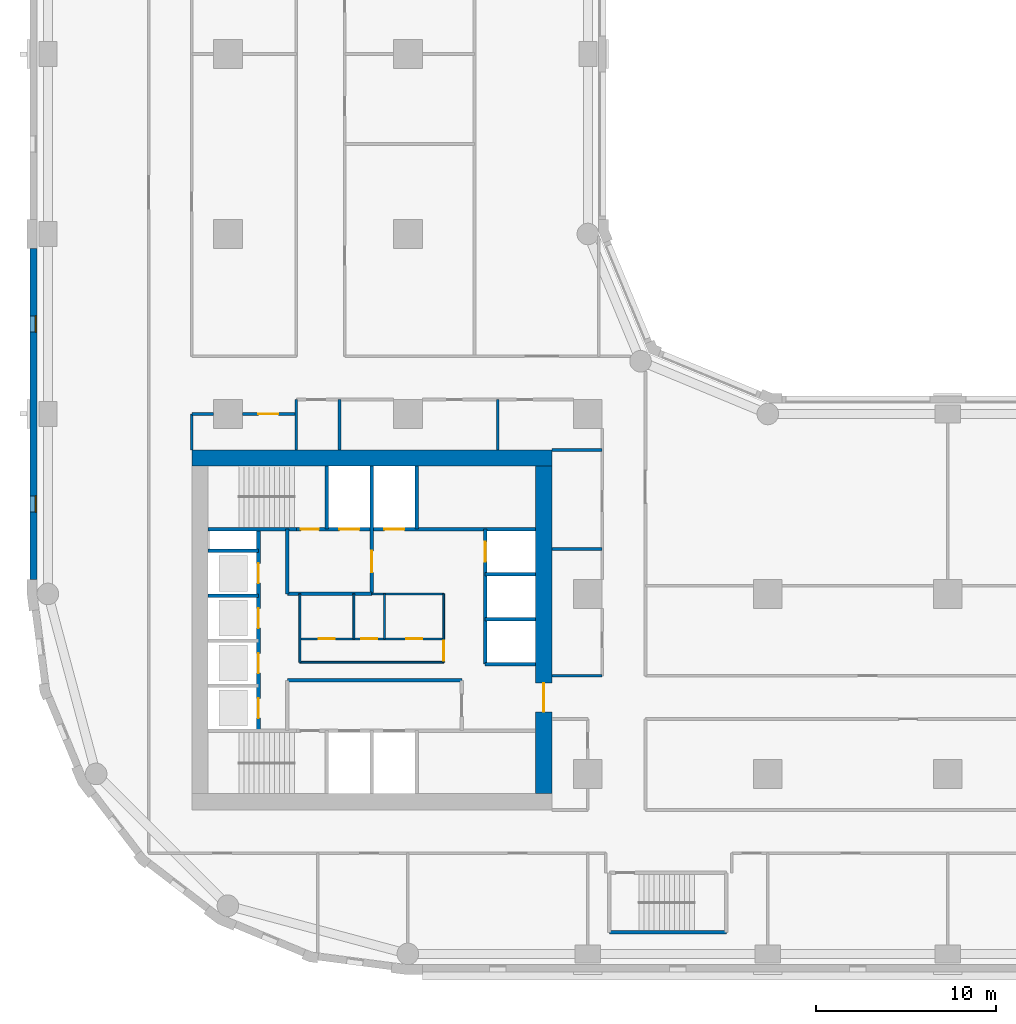
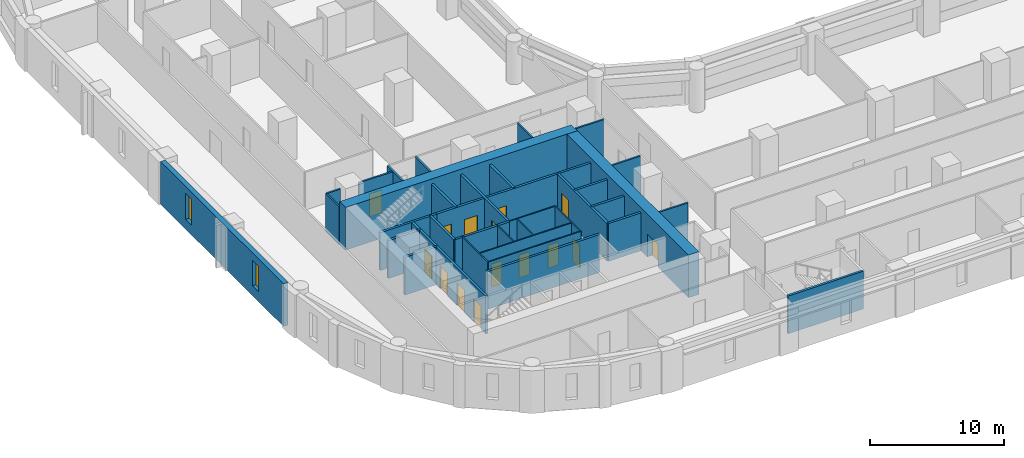
# One storey, part 3 of 10: 35 walls, 15 doors, 2 windows, 17 openings.
"""IFC4 building model written with IfcOpenShell, lengths in metres."""

import ifcopenshell
import ifcopenshell.guid

model = None  # the IFC model being written
_history = None  # IfcOwnerHistory: only IFC2X3 demands one
_inside = {}  # id of a spatial element -> (the spatial element, [elements in it])
_under = {}  # id of a project, library or spatial element -> (it, [spatial elements below it])
_declared = {}  # id of a project -> (the project, [libraries it declares])
_typed = {}  # id of a type object -> (the type object, [elements of that type])
_made_of = {}  # id of a material, layer set ... -> (it, [elements and type objects made of it])


def new_model(schema):
    """Start an empty IFC model of exactly this schema.

    Asked for "IFC4X3", IfcOpenShell would pick the latest addendum, in which some entities
    have other attributes; the version numbers below select the first issue.
    IFC2X3 requires an IfcOwnerHistory on every rooted entity: one is made here for all.
    """
    global model, _history
    if schema == "IFC4X3":
        model = ifcopenshell.file(schema_version=(4, 3, 0, 0))
    else:
        model = ifcopenshell.file(schema=schema)
    _inside.clear()
    _under.clear()
    _declared.clear()
    _typed.clear()
    _made_of.clear()
    _history = None
    if model.schema == "IFC2X3":
        org = make("IfcOrganization", Name="unknown")
        user = make(
            "IfcPersonAndOrganization",
            ThePerson=make("IfcPerson", FamilyName="unknown"),
            TheOrganization=org,
        )
        app = make(
            "IfcApplication",
            ApplicationDeveloper=org,
            Version="unknown",
            ApplicationFullName="unknown",
            ApplicationIdentifier="unknown",
        )
        _history = make(
            "IfcOwnerHistory",
            OwningUser=user,
            OwningApplication=app,
            ChangeAction="ADDED",
            CreationDate=0,
        )
    return model


def make(cls, **values):
    """One entity of the class cls with the attributes given. An attribute that is None is left unset."""
    return model.create_entity(
        cls, **{name: value for name, value in values.items() if value is not None}
    )


def rooted(cls, **values):
    """An entity with a GlobalId (a new one), such as an element, a storey or a relation."""
    return make(cls, GlobalId=ifcopenshell.guid.new(), OwnerHistory=_history, **values)


def si_unit(unit_type, name, prefix=None):
    """IfcSIUnit, for example si_unit("LENGTHUNIT", "METRE", prefix="MILLI")."""
    return make("IfcSIUnit", UnitType=unit_type, Prefix=prefix, Name=name)


def assignment(units):
    """IfcUnitAssignment: the units of a project."""
    return None if units is None else make("IfcUnitAssignment", Units=units)


def point(xyz):
    """IfcCartesianPoint."""
    return None if xyz is None else make("IfcCartesianPoint", Coordinates=xyz)


def direction(xyz):
    """IfcDirection."""
    return None if xyz is None else make("IfcDirection", DirectionRatios=xyz)


def frame(location, z_axis=None, x_axis=None):
    """IfcAxis2Placement3D, a coordinate frame: its origin and axes. An axis left out is left unset."""
    return make(
        "IfcAxis2Placement3D",
        Location=point(location),
        Axis=direction(z_axis),
        RefDirection=direction(x_axis),
    )


def frame_2d(location, x_axis=None):
    """IfcAxis2Placement2D, a coordinate frame in the plane: its origin and x axis."""
    return make(
        "IfcAxis2Placement2D", Location=point(location), RefDirection=direction(x_axis)
    )


def origin():
    """The frame at (0, 0, 0) with its axes left unset."""
    return frame((0.0, 0.0, 0.0))


def place(relative_to, where):
    """IfcLocalPlacement: puts the frame where relative to a parent placement (None: the world)."""
    return make(
        "IfcLocalPlacement", PlacementRelTo=relative_to, RelativePlacement=where
    )


def context(
    kind, dimensions, precision=None, world=None, true_north=None, identifier=None
):
    """IfcGeometricRepresentationContext, for example the 3D "Model" context."""
    return make(
        "IfcGeometricRepresentationContext",
        ContextIdentifier=identifier,
        ContextType=kind,
        CoordinateSpaceDimension=dimensions,
        Precision=precision,
        WorldCoordinateSystem=world,
        TrueNorth=true_north,
    )


def subcontext(parent, identifier, kind, view, scale=None):
    """IfcGeometricRepresentationSubContext, for example "Body" below "Model"."""
    return make(
        "IfcGeometricRepresentationSubContext",
        ContextIdentifier=identifier,
        ContextType=kind,
        ParentContext=parent,
        TargetScale=scale,
        TargetView=view,
    )


def project(units=None, contexts=None):
    """IfcProject with its units and contexts."""
    return rooted(
        "IfcProject",
        Name="project",
        RepresentationContexts=contexts,
        UnitsInContext=assignment(units),
    )


def spatial(cls, under=None, at=None, **own):
    """A site, building, storey or space (cls), placed at a placement, below another one or the project."""
    s = rooted(cls, ObjectPlacement=at, **own)
    if under is not None:
        _under.setdefault(under.id(), (under, []))[1].append(s)
    return s


def profile(cls, at=None, kind="AREA", **sizes):
    """A parametric profile (cls). Its sizes go by their IFC names, for example OverallWidth=200.0."""
    return make(cls, ProfileType=kind, Position=at, **sizes)


def rectangle(**sizes):
    """IfcRectangleProfileDef."""
    return profile("IfcRectangleProfileDef", **sizes)


def extrude(swept, where, along, depth):
    """IfcExtrudedAreaSolid: the profile swept, set in the frame where, extruded along a direction by depth."""
    return make(
        "IfcExtrudedAreaSolid",
        SweptArea=swept,
        Position=where,
        ExtrudedDirection=direction(along),
        Depth=depth,
    )


def shape(context_of_items, identifier, shape_type, items):
    """IfcShapeRepresentation: the items that make up one representation, for example the "Body"."""
    return make(
        "IfcShapeRepresentation",
        ContextOfItems=context_of_items,
        RepresentationIdentifier=identifier,
        RepresentationType=shape_type,
        Items=items,
    )


def material(Name=None, Category=None):
    """IfcMaterial."""
    return make("IfcMaterial", Name=Name, Category=Category)


def layer(
    of_material, thickness, ventilated=None, Name=None, Category=None, Priority=None
):
    """IfcMaterialLayer: one layer of a wall or slab, of a material (None: an air gap)."""
    return make(
        "IfcMaterialLayer",
        Material=of_material,
        LayerThickness=thickness,
        IsVentilated=ventilated,
        Name=Name,
        Category=Category,
        Priority=Priority,
    )


def layer_set(layers, Name=None):
    """IfcMaterialLayerSet."""
    return make("IfcMaterialLayerSet", MaterialLayers=layers, LayerSetName=Name)


def made_of(thing, what):
    """Note that an element or type object is made of a material, layer set ...; save() writes the relation."""
    if what is not None:
        _made_of.setdefault(what.id(), (what, []))[1].append(thing)
    return thing


def type_object(cls, material=None, **own):
    """A type object (cls), such as IfcWallType, which elements share."""
    return made_of(rooted(cls, **own), material)


def element(
    cls,
    number,
    at=None,
    inside=None,
    cuts=None,
    type_object=None,
    material=None,
    context=None,
    identifier="Body",
    shape_type=None,
    held_by="IfcProductDefinitionShape",
    body=None,
    shapes=None,
    **own,
):
    """One element of the class cls, such as IfcWall. Its Tag is "e" and its number.

    at: its placement. inside: the storey or other place that contains it. cuts: it is an
    opening in that element (IfcRelVoidsElement). A single representation is given by context,
    identifier, shape_type and body (its items); several are given by shapes. held_by: the class
    of the entity that holds the representations. save() writes the other relations.
    """
    e = rooted(cls, Tag="e%d" % number, ObjectPlacement=at, **own)
    if body is not None:
        shapes = [shape(context, identifier, shape_type, body)]
    if shapes is not None:
        e.Representation = make(held_by, Representations=shapes)
    if inside is not None:
        _inside.setdefault(inside.id(), (inside, []))[1].append(e)
    if cuts is not None:
        rooted(
            "IfcRelVoidsElement", RelatingBuildingElement=cuts, RelatedOpeningElement=e
        )
    if type_object is not None:
        _typed.setdefault(type_object.id(), (type_object, []))[1].append(e)
    return made_of(e, material)


def fill(opening, filler):
    """IfcRelFillsElement: the door or window that sits in an opening."""
    return rooted(
        "IfcRelFillsElement",
        RelatingOpeningElement=opening,
        RelatedBuildingElement=filler,
    )


def aggregate(whole, parts):
    """IfcRelAggregates: a whole, such as a stair, and the parts it consists of."""
    return rooted("IfcRelAggregates", RelatingObject=whole, RelatedObjects=parts)


def save(model, path):
    """Write the relations noted so far, then the file.

    IfcRelAggregates (storeys below a building ...), IfcRelContainedInSpatialStructure (elements
    in a storey), IfcRelDefinesByType, IfcRelAssociatesMaterial and IfcRelDeclares: one each for
    every whole, place, type object, material and project.
    """
    for whole, parts in _under.values():
        aggregate(whole, parts)
    for where, things in _inside.values():
        rooted(
            "IfcRelContainedInSpatialStructure",
            RelatedElements=things,
            RelatingStructure=where,
        )
    for kind, things in _typed.values():
        rooted("IfcRelDefinesByType", RelatedObjects=things, RelatingType=kind)
    for what, things in _made_of.values():
        rooted("IfcRelAssociatesMaterial", RelatedObjects=things, RelatingMaterial=what)
    for by, libraries in _declared.values():
        rooted("IfcRelDeclares", RelatingContext=by, RelatedDefinitions=libraries)
    model.write(path)


model = new_model("IFC4")

# Units and contexts
model_context = context("Model", 3, precision=1e-05, world=origin(), true_north=direction((0.0, 1.0)))
body_context = subcontext(model_context, "Body", "Model", "MODEL_VIEW")
ifc_project = project(units=[si_unit("LENGTHUNIT", "METRE"), si_unit("AREAUNIT", "SQUARE_METRE"), si_unit("VOLUMEUNIT", "CUBIC_METRE"), si_unit("PLANEANGLEUNIT", "RADIAN"), si_unit("MASSUNIT", "GRAM", prefix="KILO")], contexts=[model_context])

# Site, building, storey
site_placement = place(None, origin())
site = spatial("IfcSite", under=ifc_project, at=site_placement, CompositionType="ELEMENT")
building_placement = place(site_placement, origin())
building = spatial("IfcBuilding", under=site, at=building_placement, Name="Qaws Garden Tower", CompositionType="ELEMENT")
storey_placement = place(building_placement, frame((0.0, 0.0, 113.39990234375)))
storey = spatial("IfcBuildingStorey", under=building, at=storey_placement, Name="L28", CompositionType="ELEMENT", Elevation=113.39990234375)

# Wall, openings, windows
ifc_material_1 = material(Name="Buff clay facing brick masonry", Category="masonry")
ifc_layer_1 = layer(ifc_material_1, 0.39990234375)
ifc_layer_set_1 = layer_set([ifc_layer_1], Name="Buff clay facing brick masonry")
wall_type_1 = type_object("IfcWallType", Name="Buff brick infill wall 400", PredefinedType="SOLIDWALL", material=ifc_layer_set_1)
wall_1_placement = place(storey_placement, frame((-0.800048828125, 39.199951171875, 0.0), z_axis=(0.0, 0.0, 1.0), x_axis=(0.0, -1.0, 0.0)))
wall_1 = element("IfcWall", 1, at=wall_1_placement, inside=storey, type_object=wall_type_1, Name="E-L28-infill-25", PredefinedType="SOLIDWALL", context=body_context, shape_type="SweptSolid", body=[
    extrude(rectangle(XDim=18.39990234375, YDim=0.39990234375, at=frame_2d((9.199951171875, 0.0))), origin(), (0.0, 0.0, 1.0), 3.900146484375),
])
opening_1_placement = place(wall_1_placement, frame((3.75, 0.0, 0.89990234375)))
opening_1 = element("IfcOpeningElement", 2, at=opening_1_placement, cuts=wall_1, Name="Opening W09", PredefinedType="OPENING", context=body_context, shape_type="SweptSolid", body=[
    extrude(rectangle(XDim=0.89990234375, YDim=2.35009765625, at=frame_2d((0.449951171875, 1.175048828125))), frame((0.0, 0.2099609375, 0.0), z_axis=(0.0, -1.0, 0.0), x_axis=(1.0, 0.0, 0.0)), (0.0, 0.0, 1.0), 0.419921875),
])
opening_2_placement = place(wall_1_placement, frame((13.75, 0.0, 0.89990234375)))
opening_2 = element("IfcOpeningElement", 3, at=opening_2_placement, cuts=wall_1, Name="Opening W09", PredefinedType="OPENING", context=body_context, shape_type="SweptSolid", body=[
    extrude(rectangle(XDim=0.89990234375, YDim=2.35009765625, at=frame_2d((0.449951171875, 1.175048828125))), frame((0.0, 0.2099609375, 0.0), z_axis=(0.0, -1.0, 0.0), x_axis=(1.0, 0.0, 0.0)), (0.0, 0.0, 1.0), 0.419921875),
])
ifc_material_2 = material(Name="Aluminium framed window, clear glazing", Category="aluminium")
window_type = type_object("IfcWindowType", Name="Slit window 900 x 2350", PartitioningType="SINGLE_PANEL", PredefinedType="WINDOW", material=ifc_material_2)
window_1_placement = place(opening_1_placement, origin())
window_1 = element("IfcWindow", 4, at=window_1_placement, inside=storey, type_object=window_type, Name="E-L28-window-25-0", OverallHeight=2.35009765625, OverallWidth=0.89990234375, PartitioningType="SINGLE_PANEL", PredefinedType="WINDOW", context=body_context, shape_type="SweptSolid", body=[
    extrude(rectangle(XDim=0.89990234375, YDim=2.35009765625, at=frame_2d((0.449951171875, 1.175048828125))), frame((0.0, 0.159912109375, 0.0), z_axis=(0.0, -1.0, 0.0), x_axis=(1.0, 0.0, 0.0)), (0.0, 0.0, 1.0), 0.06005859375),
])
fill(opening_1, window_1)
window_2_placement = place(opening_2_placement, origin())
window_2 = element("IfcWindow", 5, at=window_2_placement, inside=storey, type_object=window_type, Name="E-L28-window-26-0", OverallHeight=2.35009765625, OverallWidth=0.89990234375, PartitioningType="SINGLE_PANEL", PredefinedType="WINDOW", context=body_context, shape_type="SweptSolid", body=[
    extrude(rectangle(XDim=0.89990234375, YDim=2.35009765625, at=frame_2d((0.449951171875, 1.175048828125))), frame((0.0, 0.159912109375, 0.0), z_axis=(0.0, -1.0, 0.0), x_axis=(1.0, 0.0, 0.0)), (0.0, 0.0, 1.0), 0.06005859375),
])
fill(opening_2, window_2)

# Wall
ifc_material_3 = material(Name="Plasterboard")
ifc_layer_2 = layer(ifc_material_3, 0.10009765625)
ifc_layer_set_2 = layer_set([ifc_layer_2], Name="Plasterboard")
wall_type_2 = type_object("IfcWallType", Name="Core partition 100", PredefinedType="PARTITIONING", material=ifc_layer_set_2)
wall_2_placement = place(storey_placement, frame((14.0, 16.199951171875, 0.0), z_axis=(0.0, 0.0, 1.0), x_axis=(1.0, 0.0, 0.0)))
element("IfcWall", 6, at=wall_2_placement, inside=storey, type_object=wall_type_2, Name="Core partition", PredefinedType="PARTITIONING", context=body_context, shape_type="SweptSolid", body=[
    extrude(rectangle(XDim=8.0, YDim=0.10009765625, at=frame_2d((4.0, 0.0))), origin(), (0.0, 0.0, 1.0), 3.4501953125),
])

# Wall, openings, doors
wall_3_placement = place(storey_placement, frame((14.0, 17.5, 0.0), z_axis=(0.0, 0.0, 1.0), x_axis=(1.0, 0.0, 0.0)))
wall_3 = element("IfcWall", 7, at=wall_3_placement, inside=storey, type_object=wall_type_2, Name="Core partition", PredefinedType="PARTITIONING", context=body_context, shape_type="SweptSolid", body=[
    extrude(rectangle(XDim=8.0, YDim=0.10009765625, at=frame_2d((4.0, 0.0))), origin(), (0.0, 0.0, 1.0), 3.4501953125),
])
opening_3_placement = place(wall_3_placement, frame((1.050048828125, 0.0, 0.0)))
opening_3 = element("IfcOpeningElement", 8, at=opening_3_placement, cuts=wall_3, Name="Opening WD18", PredefinedType="OPENING", context=body_context, shape_type="SweptSolid", body=[
    extrude(rectangle(XDim=0.89990234375, YDim=2.10009765625, at=frame_2d((0.449951171875, 1.050048828125))), frame((0.0, 0.06005859375, 0.0), z_axis=(0.0, -1.0, 0.0), x_axis=(1.0, 0.0, 0.0)), (0.0, 0.0, 1.0), 0.1201171875),
])
opening_4_placement = place(wall_3_placement, frame((3.39990234375, 0.0, 0.0)))
opening_4 = element("IfcOpeningElement", 9, at=opening_4_placement, cuts=wall_3, Name="Opening WD19", PredefinedType="OPENING", context=body_context, shape_type="SweptSolid", body=[
    extrude(rectangle(XDim=0.89990234375, YDim=2.10009765625, at=frame_2d((0.449951171875, 1.050048828125))), frame((0.0, 0.06005859375, 0.0), z_axis=(0.0, -1.0, 0.0), x_axis=(1.0, 0.0, 0.0)), (0.0, 0.0, 1.0), 0.1201171875),
])
opening_5_placement = place(wall_3_placement, frame((5.89990234375, 0.0, 0.0)))
opening_5 = element("IfcOpeningElement", 10, at=opening_5_placement, cuts=wall_3, Name="Opening WD20", PredefinedType="OPENING", context=body_context, shape_type="SweptSolid", body=[
    extrude(rectangle(XDim=0.89990234375, YDim=2.10009765625, at=frame_2d((0.449951171875, 1.050048828125))), frame((0.0, 0.06005859375, 0.0), z_axis=(0.0, -1.0, 0.0), x_axis=(1.0, 0.0, 0.0)), (0.0, 0.0, 1.0), 0.1201171875),
])
ifc_material_4 = material(Name="Timber", Category="wood")
door_type_1 = type_object("IfcDoorType", Name="WC door 900x2100", OperationType="SINGLE_SWING_LEFT", PredefinedType="DOOR", material=ifc_material_4)
door_1_placement = place(opening_3_placement, origin())
door_1 = element("IfcDoor", 11, at=door_1_placement, inside=storey, type_object=door_type_1, Name="Men's WC door", OperationType="SINGLE_SWING_RIGHT", OverallHeight=2.10009765625, OverallWidth=0.89990234375, PredefinedType="DOOR", context=body_context, shape_type="SweptSolid", body=[
    extrude(rectangle(XDim=0.89990234375, YDim=2.10009765625, at=frame_2d((0.449951171875, 1.050048828125))), frame((0.0, 0.02490234375, 0.0), z_axis=(0.0, -1.0, 0.0), x_axis=(1.0, 0.0, 0.0)), (0.0, 0.0, 1.0), 0.050048828125),
])
fill(opening_3, door_1)
door_2_placement = place(opening_4_placement, origin())
door_2 = element("IfcDoor", 12, at=door_2_placement, inside=storey, type_object=door_type_1, Name="Accessible WC door", OperationType="SINGLE_SWING_RIGHT", OverallHeight=2.10009765625, OverallWidth=0.89990234375, PredefinedType="DOOR", context=body_context, shape_type="SweptSolid", body=[
    extrude(rectangle(XDim=0.89990234375, YDim=2.10009765625, at=frame_2d((0.449951171875, 1.050048828125))), frame((0.0, 0.02490234375, 0.0), z_axis=(0.0, -1.0, 0.0), x_axis=(1.0, 0.0, 0.0)), (0.0, 0.0, 1.0), 0.050048828125),
])
fill(opening_4, door_2)
door_3_placement = place(opening_5_placement, origin())
door_3 = element("IfcDoor", 13, at=door_3_placement, inside=storey, type_object=door_type_1, Name="Women's WC door", OperationType="SINGLE_SWING_RIGHT", OverallHeight=2.10009765625, OverallWidth=0.89990234375, PredefinedType="DOOR", context=body_context, shape_type="SweptSolid", body=[
    extrude(rectangle(XDim=0.89990234375, YDim=2.10009765625, at=frame_2d((0.449951171875, 1.050048828125))), frame((0.0, 0.02490234375, 0.0), z_axis=(0.0, -1.0, 0.0), x_axis=(1.0, 0.0, 0.0)), (0.0, 0.0, 1.0), 0.050048828125),
])
fill(opening_5, door_3)

# Walls
wall_4_placement = place(storey_placement, frame((18.0, 20.0, 0.0), z_axis=(0.0, 0.0, 1.0), x_axis=(1.0, 0.0, 0.0)))
element("IfcWall", 14, at=wall_4_placement, inside=storey, type_object=wall_type_2, Name="Core partition", PredefinedType="PARTITIONING", context=body_context, shape_type="SweptSolid", body=[
    extrude(rectangle(XDim=4.0, YDim=0.10009765625, at=frame_2d((2.0, 0.0))), origin(), (0.0, 0.0, 1.0), 3.4501953125),
])
wall_5_placement = place(storey_placement, frame((14.0, 16.199951171875, 0.0), z_axis=(0.0, 0.0, 1.0), x_axis=(0.0, 1.0, 0.0)))
element("IfcWall", 15, at=wall_5_placement, inside=storey, type_object=wall_type_2, Name="Core partition", PredefinedType="PARTITIONING", context=body_context, shape_type="SweptSolid", body=[
    extrude(rectangle(XDim=3.800048828125, YDim=0.10009765625, at=frame_2d((1.89990234375, 0.0))), origin(), (0.0, 0.0, 1.0), 3.4501953125),
])
for number, where, z_axis, x_axis, name in (
    (16, (17.0, 17.5, 0.0), (0.0, 0.0, 1.0), (0.0, 1.0, 0.0), "Core partition"),
    (17, (18.699951171875, 17.5, 0.0), (0.0, 0.0, 1.0), (0.0, 1.0, 0.0), "Core partition"),
):
    element("IfcWall", number, at=place(storey_placement, frame(where, z_axis=z_axis, x_axis=x_axis)), inside=storey, type_object=wall_type_2, Name=name, PredefinedType="PARTITIONING", context=body_context, shape_type="SweptSolid", body=[
        extrude(rectangle(XDim=2.5, YDim=0.10009765625, at=frame_2d((1.25, 0.0))), origin(), (0.0, 0.0, 1.0), 3.4501953125),
    ])

# Wall, opening, door
wall_6_placement = place(storey_placement, frame((22.0, 16.199951171875, 0.0), z_axis=(0.0, 0.0, 1.0), x_axis=(0.0, 1.0, 0.0)))
wall_6 = element("IfcWall", 18, at=wall_6_placement, inside=storey, type_object=wall_type_2, Name="Core partition", PredefinedType="PARTITIONING", context=body_context, shape_type="SweptSolid", body=[
    extrude(rectangle(XDim=3.800048828125, YDim=0.10009765625, at=frame_2d((1.89990234375, 0.0))), origin(), (0.0, 0.0, 1.0), 3.4501953125),
])
opening_6_placement = place(wall_6_placement, frame((0.10009765625, 0.0, 0.0)))
opening_6 = element("IfcOpeningElement", 19, at=opening_6_placement, cuts=wall_6, Name="Opening WL17", PredefinedType="OPENING", context=body_context, shape_type="SweptSolid", body=[
    extrude(rectangle(XDim=1.10009765625, YDim=2.10009765625, at=frame_2d((0.550048828125, 1.050048828125))), frame((0.0, 0.06005859375, 0.0), z_axis=(0.0, -1.0, 0.0), x_axis=(1.0, 0.0, 0.0)), (0.0, 0.0, 1.0), 0.1201171875),
])
ifc_material_5 = material(Name="Timber", Category="wood")
door_type_2 = type_object("IfcDoorType", Name="WC lobby door 1100x2100", OperationType="SINGLE_SWING_LEFT", PredefinedType="DOOR", material=ifc_material_5)
door_4_placement = place(opening_6_placement, origin())
door_4 = element("IfcDoor", 20, at=door_4_placement, inside=storey, type_object=door_type_2, Name="WC lobby door", OperationType="SINGLE_SWING_RIGHT", OverallHeight=2.10009765625, OverallWidth=1.10009765625, PredefinedType="DOOR", context=body_context, shape_type="SweptSolid", body=[
    extrude(rectangle(XDim=1.10009765625, YDim=2.10009765625, at=frame_2d((0.550048828125, 1.050048828125))), frame((0.0, 0.02490234375, 0.0), z_axis=(0.0, -1.0, 0.0), x_axis=(1.0, 0.0, 0.0)), (0.0, 0.0, 1.0), 0.050048828125),
])
fill(opening_6, door_4)

# Walls
ifc_material_6 = material(Name="Concrete C80", Category="concrete")
ifc_layer_3 = layer(ifc_material_6, 0.199951171875)
ifc_layer_set_3 = layer_set([ifc_layer_3], Name="Concrete C80")
wall_type_3 = type_object("IfcWallType", Name="Core shaft wall 200 C80", PredefinedType="SHEAR", material=ifc_layer_set_3)
wall_7_placement = place(storey_placement, frame((31.199951171875, 1.199951171875, 0.0), z_axis=(0.0, 0.0, 1.0), x_axis=(1.0, 0.0, 0.0)))
element("IfcWall", 21, at=wall_7_placement, inside=storey, type_object=wall_type_3, Name="Shaft wall", PredefinedType="SHEAR", context=body_context, shape_type="SweptSolid", body=[
    extrude(rectangle(XDim=6.5, YDim=0.199951171875, at=frame_2d((3.25, 0.0))), origin(), (0.0, 0.0, 1.0), 3.4501953125),
])
wall_8_placement = place(storey_placement, frame((13.300048828125, 15.199951171875, 0.0), z_axis=(0.0, 0.0, 1.0), x_axis=(1.0, 0.0, 0.0)))
element("IfcWall", 22, at=wall_8_placement, inside=storey, type_object=wall_type_3, Name="Shaft wall", PredefinedType="SHEAR", context=body_context, shape_type="SweptSolid", body=[
    extrude(rectangle(XDim=9.699951171875, YDim=0.199951171875, at=frame_2d((4.85009765625, 0.0))), origin(), (0.0, 0.0, 1.0), 3.4501953125),
])
for number, where, z_axis, x_axis, name in (
    (23, (24.300048828125, 16.10009765625, 0.0), (0.0, 0.0, 1.0), (1.0, 0.0, 0.0), "Shaft wall"),
    (24, (24.300048828125, 18.60009765625, 0.0), (0.0, 0.0, 1.0), (1.0, 0.0, 0.0), "Shaft wall"),
    (25, (8.89990234375, 19.89990234375, 0.0), (0.0, 0.0, 1.0), (1.0, 0.0, 0.0), "Shaft wall"),
):
    element("IfcWall", number, at=place(storey_placement, frame(where, z_axis=z_axis, x_axis=x_axis)), inside=storey, type_object=wall_type_3, Name=name, PredefinedType="SHEAR", context=body_context, shape_type="SweptSolid", body=[
        extrude(rectangle(XDim=2.800048828125, YDim=0.199951171875, at=frame_2d((1.39990234375, 0.0))), origin(), (0.0, 0.0, 1.0), 3.4501953125),
    ])
wall_9_placement = place(storey_placement, frame((13.300048828125, 20.0, 0.0), z_axis=(0.0, 0.0, 1.0), x_axis=(1.0, 0.0, 0.0)))
element("IfcWall", 26, at=wall_9_placement, inside=storey, type_object=wall_type_3, Name="Shaft wall", PredefinedType="SHEAR", context=body_context, shape_type="SweptSolid", body=[
    extrude(rectangle(XDim=4.699951171875, YDim=0.199951171875, at=frame_2d((2.35009765625, 0.0))), origin(), (0.0, 0.0, 1.0), 3.4501953125),
])
for number, where, z_axis, x_axis, name in (
    (27, (24.300048828125, 21.10009765625, 0.0), (0.0, 0.0, 1.0), (1.0, 0.0, 0.0), "Shaft wall"),
    (28, (8.89990234375, 22.39990234375, 0.0), (0.0, 0.0, 1.0), (1.0, 0.0, 0.0), "Shaft wall"),
):
    element("IfcWall", number, at=place(storey_placement, frame(where, z_axis=z_axis, x_axis=x_axis)), inside=storey, type_object=wall_type_3, Name=name, PredefinedType="SHEAR", context=body_context, shape_type="SweptSolid", body=[
        extrude(rectangle(XDim=2.800048828125, YDim=0.199951171875, at=frame_2d((1.39990234375, 0.0))), origin(), (0.0, 0.0, 1.0), 3.4501953125),
    ])
wall_10_placement = place(storey_placement, frame((8.89990234375, 23.60009765625, 0.0), z_axis=(0.0, 0.0, 1.0), x_axis=(1.0, 0.0, 0.0)))
element("IfcWall", 29, at=wall_10_placement, inside=storey, type_object=wall_type_3, Name="Shaft wall", PredefinedType="SHEAR", context=body_context, shape_type="SweptSolid", body=[
    extrude(rectangle(XDim=4.900146484375, YDim=0.199951171875, at=frame_2d((2.4501953125, 0.0))), origin(), (0.0, 0.0, 1.0), 3.4501953125),
])

# Wall, openings, doors
wall_11_placement = place(storey_placement, frame((13.800048828125, 23.60009765625, 0.0), z_axis=(0.0, 0.0, 1.0), x_axis=(1.0, 0.0, 0.0)))
wall_11 = element("IfcWall", 30, at=wall_11_placement, inside=storey, type_object=wall_type_3, Name="Shaft wall", PredefinedType="SHEAR", context=body_context, shape_type="SweptSolid", body=[
    extrude(rectangle(XDim=13.300048828125, YDim=0.199951171875, at=frame_2d((6.64990234375, 0.0))), origin(), (0.0, 0.0, 1.0), 3.4501953125),
])
opening_7_placement = place(wall_11_placement, frame((2.39990234375, 0.0, 0.0)))
opening_7 = element("IfcOpeningElement", 31, at=opening_7_placement, cuts=wall_11, Name="Opening LD08", PredefinedType="OPENING", context=body_context, shape_type="SweptSolid", body=[
    extrude(rectangle(XDim=1.10009765625, YDim=2.10009765625, at=frame_2d((0.550048828125, 1.050048828125))), frame((0.0, 0.10986328125, 0.0), z_axis=(0.0, -1.0, 0.0), x_axis=(1.0, 0.0, 0.0)), (0.0, 0.0, 1.0), 0.219970703125),
])
opening_8_placement = place(wall_11_placement, frame((4.89990234375, 0.0, 0.0)))
opening_8 = element("IfcOpeningElement", 32, at=opening_8_placement, cuts=wall_11, Name="Opening LD09", PredefinedType="OPENING", context=body_context, shape_type="SweptSolid", body=[
    extrude(rectangle(XDim=1.10009765625, YDim=2.10009765625, at=frame_2d((0.550048828125, 1.050048828125))), frame((0.0, 0.10986328125, 0.0), z_axis=(0.0, -1.0, 0.0), x_axis=(1.0, 0.0, 0.0)), (0.0, 0.0, 1.0), 0.219970703125),
])
opening_9_placement = place(wall_11_placement, frame((0.25, 0.0, 0.0)))
opening_9 = element("IfcOpeningElement", 33, at=opening_9_placement, cuts=wall_11, Name="Opening SD11", PredefinedType="OPENING", context=body_context, shape_type="SweptSolid", body=[
    extrude(rectangle(XDim=1.0, YDim=2.10009765625, at=frame_2d((0.5, 1.050048828125))), frame((0.0, 0.10986328125, 0.0), z_axis=(0.0, -1.0, 0.0), x_axis=(1.0, 0.0, 0.0)), (0.0, 0.0, 1.0), 0.219970703125),
])
ifc_material_7 = material(Name="Steel S235", Category="steel")
door_type_3 = type_object("IfcDoorType", Name="Landing door 1100x2100", OperationType="DOUBLE_DOOR_SLIDING", PredefinedType="DOOR", material=ifc_material_7)
door_5_placement = place(opening_7_placement, origin())
door_5 = element("IfcDoor", 34, at=door_5_placement, inside=storey, type_object=door_type_3, Name="Lift FF3 landing door", OperationType="DOUBLE_DOOR_SLIDING", OverallHeight=2.10009765625, OverallWidth=1.10009765625, PredefinedType="DOOR", context=body_context, shape_type="SweptSolid", body=[
    extrude(rectangle(XDim=1.10009765625, YDim=2.10009765625, at=frame_2d((0.550048828125, 1.050048828125))), frame((0.0, 0.02490234375, 0.0), z_axis=(0.0, -1.0, 0.0), x_axis=(1.0, 0.0, 0.0)), (0.0, 0.0, 1.0), 0.050048828125),
])
fill(opening_7, door_5)
door_6_placement = place(opening_8_placement, origin())
door_6 = element("IfcDoor", 35, at=door_6_placement, inside=storey, type_object=door_type_3, Name="Lift SV2 landing door", OperationType="DOUBLE_DOOR_SLIDING", OverallHeight=2.10009765625, OverallWidth=1.10009765625, PredefinedType="DOOR", context=body_context, shape_type="SweptSolid", body=[
    extrude(rectangle(XDim=1.10009765625, YDim=2.10009765625, at=frame_2d((0.550048828125, 1.050048828125))), frame((0.0, 0.02490234375, 0.0), z_axis=(0.0, -1.0, 0.0), x_axis=(1.0, 0.0, 0.0)), (0.0, 0.0, 1.0), 0.050048828125),
])
fill(opening_8, door_6)
ifc_material_8 = material(Name="Steel S235", Category="steel")
door_type_4 = type_object("IfcDoorType", Name="Stair door 1000x2100", OperationType="SINGLE_SWING_RIGHT", PredefinedType="DOOR", material=ifc_material_8)
door_7_placement = place(opening_9_placement, origin())
door_7 = element("IfcDoor", 36, at=door_7_placement, inside=storey, type_object=door_type_4, Name="Stair 4 door", OperationType="SINGLE_SWING_RIGHT", OverallHeight=2.10009765625, OverallWidth=1.0, PredefinedType="DOOR", context=body_context, shape_type="SweptSolid", body=[
    extrude(rectangle(XDim=1.0, YDim=2.10009765625, at=frame_2d((0.5, 1.050048828125))), frame((0.0, 0.02490234375, 0.0), z_axis=(0.0, -1.0, 0.0), x_axis=(1.0, 0.0, 0.0)), (0.0, 0.0, 1.0), 0.050048828125),
])
fill(opening_9, door_7)

wall_12_placement = place(storey_placement, frame((11.699951171875, 12.39990234375, 0.0), z_axis=(0.0, 0.0, 1.0), x_axis=(0.0, 1.0, 0.0)))
wall_12 = element("IfcWall", 37, at=wall_12_placement, inside=storey, type_object=wall_type_3, Name="Shaft wall", PredefinedType="SHEAR", context=body_context, shape_type="SweptSolid", body=[
    extrude(rectangle(XDim=11.2001953125, YDim=0.199951171875, at=frame_2d((5.60009765625, 0.0))), origin(), (0.0, 0.0, 1.0), 3.4501953125),
])
opening_10_placement = place(wall_12_placement, frame((0.699951171875, 0.0, 0.0)))
opening_10 = element("IfcOpeningElement", 38, at=opening_10_placement, cuts=wall_12, Name="Opening LD01", PredefinedType="OPENING", context=body_context, shape_type="SweptSolid", body=[
    extrude(rectangle(XDim=1.10009765625, YDim=2.10009765625, at=frame_2d((0.550048828125, 1.050048828125))), frame((0.0, 0.10986328125, 0.0), z_axis=(0.0, -1.0, 0.0), x_axis=(1.0, 0.0, 0.0)), (0.0, 0.0, 1.0), 0.219970703125),
])
opening_11_placement = place(wall_12_placement, frame((3.199951171875, 0.0, 0.0)))
opening_11 = element("IfcOpeningElement", 39, at=opening_11_placement, cuts=wall_12, Name="Opening LD02", PredefinedType="OPENING", context=body_context, shape_type="SweptSolid", body=[
    extrude(rectangle(XDim=1.10009765625, YDim=2.10009765625, at=frame_2d((0.550048828125, 1.050048828125))), frame((0.0, 0.10986328125, 0.0), z_axis=(0.0, -1.0, 0.0), x_axis=(1.0, 0.0, 0.0)), (0.0, 0.0, 1.0), 0.219970703125),
])
opening_12_placement = place(wall_12_placement, frame((5.699951171875, 0.0, 0.0)))
opening_12 = element("IfcOpeningElement", 40, at=opening_12_placement, cuts=wall_12, Name="Opening LD03", PredefinedType="OPENING", context=body_context, shape_type="SweptSolid", body=[
    extrude(rectangle(XDim=1.10009765625, YDim=2.10009765625, at=frame_2d((0.550048828125, 1.050048828125))), frame((0.0, 0.10986328125, 0.0), z_axis=(0.0, -1.0, 0.0), x_axis=(1.0, 0.0, 0.0)), (0.0, 0.0, 1.0), 0.219970703125),
])
opening_13_placement = place(wall_12_placement, frame((8.199951171875, 0.0, 0.0)))
opening_13 = element("IfcOpeningElement", 41, at=opening_13_placement, cuts=wall_12, Name="Opening LD04", PredefinedType="OPENING", context=body_context, shape_type="SweptSolid", body=[
    extrude(rectangle(XDim=1.10009765625, YDim=2.10009765625, at=frame_2d((0.550048828125, 1.050048828125))), frame((0.0, 0.10986328125, 0.0), z_axis=(0.0, -1.0, 0.0), x_axis=(1.0, 0.0, 0.0)), (0.0, 0.0, 1.0), 0.219970703125),
])
door_8_placement = place(opening_10_placement, origin())
door_8 = element("IfcDoor", 42, at=door_8_placement, inside=storey, type_object=door_type_3, Name="Lift W1 landing door", OperationType="DOUBLE_DOOR_SLIDING", OverallHeight=2.10009765625, OverallWidth=1.10009765625, PredefinedType="DOOR", context=body_context, shape_type="SweptSolid", body=[
    extrude(rectangle(XDim=1.10009765625, YDim=2.10009765625, at=frame_2d((0.550048828125, 1.050048828125))), frame((0.0, 0.02490234375, 0.0), z_axis=(0.0, -1.0, 0.0), x_axis=(1.0, 0.0, 0.0)), (0.0, 0.0, 1.0), 0.050048828125),
])
fill(opening_10, door_8)
door_9_placement = place(opening_11_placement, origin())
door_9 = element("IfcDoor", 43, at=door_9_placement, inside=storey, type_object=door_type_3, Name="Lift W2 landing door", OperationType="DOUBLE_DOOR_SLIDING", OverallHeight=2.10009765625, OverallWidth=1.10009765625, PredefinedType="DOOR", context=body_context, shape_type="SweptSolid", body=[
    extrude(rectangle(XDim=1.10009765625, YDim=2.10009765625, at=frame_2d((0.550048828125, 1.050048828125))), frame((0.0, 0.02490234375, 0.0), z_axis=(0.0, -1.0, 0.0), x_axis=(1.0, 0.0, 0.0)), (0.0, 0.0, 1.0), 0.050048828125),
])
fill(opening_11, door_9)
door_10_placement = place(opening_12_placement, origin())
door_10 = element("IfcDoor", 44, at=door_10_placement, inside=storey, type_object=door_type_3, Name="Lift W3 landing door", OperationType="DOUBLE_DOOR_SLIDING", OverallHeight=2.10009765625, OverallWidth=1.10009765625, PredefinedType="DOOR", context=body_context, shape_type="SweptSolid", body=[
    extrude(rectangle(XDim=1.10009765625, YDim=2.10009765625, at=frame_2d((0.550048828125, 1.050048828125))), frame((0.0, 0.02490234375, 0.0), z_axis=(0.0, -1.0, 0.0), x_axis=(1.0, 0.0, 0.0)), (0.0, 0.0, 1.0), 0.050048828125),
])
fill(opening_12, door_10)
door_11_placement = place(opening_13_placement, origin())
door_11 = element("IfcDoor", 45, at=door_11_placement, inside=storey, type_object=door_type_3, Name="Lift W4 landing door", OperationType="DOUBLE_DOOR_SLIDING", OverallHeight=2.10009765625, OverallWidth=1.10009765625, PredefinedType="DOOR", context=body_context, shape_type="SweptSolid", body=[
    extrude(rectangle(XDim=1.10009765625, YDim=2.10009765625, at=frame_2d((0.550048828125, 1.050048828125))), frame((0.0, 0.02490234375, 0.0), z_axis=(0.0, -1.0, 0.0), x_axis=(1.0, 0.0, 0.0)), (0.0, 0.0, 1.0), 0.050048828125),
])
fill(opening_13, door_11)

# Walls
wall_13_placement = place(storey_placement, frame((13.300048828125, 20.0, 0.0), z_axis=(0.0, 0.0, 1.0), x_axis=(0.0, 1.0, 0.0)))
element("IfcWall", 46, at=wall_13_placement, inside=storey, type_object=wall_type_3, Name="Shaft wall", PredefinedType="SHEAR", context=body_context, shape_type="SweptSolid", body=[
    extrude(rectangle(XDim=3.60009765625, YDim=0.199951171875, at=frame_2d((1.800048828125, 0.0))), origin(), (0.0, 0.0, 1.0), 3.4501953125),
])
wall_14_placement = place(storey_placement, frame((15.5, 23.60009765625, 0.0), z_axis=(0.0, 0.0, 1.0), x_axis=(0.0, 1.0, 0.0)))
element("IfcWall", 47, at=wall_14_placement, inside=storey, type_object=wall_type_3, Name="Shaft wall", PredefinedType="SHEAR", context=body_context, shape_type="SweptSolid", body=[
    extrude(rectangle(XDim=3.5, YDim=0.199951171875, at=frame_2d((1.75, 0.0))), origin(), (0.0, 0.0, 1.0), 3.4501953125),
])

# Wall, opening, door
wall_15_placement = place(storey_placement, frame((18.0, 20.0, 0.0), z_axis=(0.0, 0.0, 1.0), x_axis=(0.0, 1.0, 0.0)))
wall_15 = element("IfcWall", 48, at=wall_15_placement, inside=storey, type_object=wall_type_3, Name="Shaft wall", PredefinedType="SHEAR", context=body_context, shape_type="SweptSolid", body=[
    extrude(rectangle(XDim=7.10009765625, YDim=0.199951171875, at=frame_2d((3.550048828125, 0.0))), origin(), (0.0, 0.0, 1.0), 3.4501953125),
])
opening_14_placement = place(wall_15_placement, frame((1.199951171875, 0.0, 0.0)))
opening_14 = element("IfcOpeningElement", 49, at=opening_14_placement, cuts=wall_15, Name="Opening FD16", PredefinedType="OPENING", context=body_context, shape_type="SweptSolid", body=[
    extrude(rectangle(XDim=1.199951171875, YDim=2.10009765625, at=frame_2d((0.60009765625, 1.050048828125))), frame((0.0, 0.10986328125, 0.0), z_axis=(0.0, -1.0, 0.0), x_axis=(1.0, 0.0, 0.0)), (0.0, 0.0, 1.0), 0.219970703125),
])
ifc_material_9 = material(Name="Steel S235", Category="steel")
door_type_5 = type_object("IfcDoorType", Name="Lobby door 1200x2100", OperationType="DOUBLE_DOOR_SINGLE_SWING", PredefinedType="DOOR", material=ifc_material_9)
door_12_placement = place(opening_14_placement, origin())
door_12 = element("IfcDoor", 50, at=door_12_placement, inside=storey, type_object=door_type_5, Name="Fire-fighting lobby door", OperationType="DOUBLE_DOOR_SINGLE_SWING", OverallHeight=2.10009765625, OverallWidth=1.199951171875, PredefinedType="DOOR", context=body_context, shape_type="SweptSolid", body=[
    extrude(rectangle(XDim=1.199951171875, YDim=2.10009765625, at=frame_2d((0.60009765625, 1.050048828125))), frame((0.0, 0.02490234375, 0.0), z_axis=(0.0, -1.0, 0.0), x_axis=(1.0, 0.0, 0.0)), (0.0, 0.0, 1.0), 0.050048828125),
])
fill(opening_14, door_12)

# Wall
wall_16_placement = place(storey_placement, frame((20.5, 23.60009765625, 0.0), z_axis=(0.0, 0.0, 1.0), x_axis=(0.0, 1.0, 0.0)))
element("IfcWall", 51, at=wall_16_placement, inside=storey, type_object=wall_type_3, Name="Shaft wall", PredefinedType="SHEAR", context=body_context, shape_type="SweptSolid", body=[
    extrude(rectangle(XDim=3.5, YDim=0.199951171875, at=frame_2d((1.75, 0.0))), origin(), (0.0, 0.0, 1.0), 3.4501953125),
])

# Wall, opening, door
wall_17_placement = place(storey_placement, frame((24.300048828125, 16.10009765625, 0.0), z_axis=(0.0, 0.0, 1.0), x_axis=(0.0, 1.0, 0.0)))
wall_17 = element("IfcWall", 52, at=wall_17_placement, inside=storey, type_object=wall_type_3, Name="Shaft wall", PredefinedType="SHEAR", context=body_context, shape_type="SweptSolid", body=[
    extrude(rectangle(XDim=7.5, YDim=0.199951171875, at=frame_2d((3.75, 0.0))), origin(), (0.0, 0.0, 1.0), 3.4501953125),
])
opening_15_placement = place(wall_17_placement, frame((5.699951171875, 0.0, 0.0)))
opening_15 = element("IfcOpeningElement", 53, at=opening_15_placement, cuts=wall_17, Name="Opening LD05", PredefinedType="OPENING", context=body_context, shape_type="SweptSolid", body=[
    extrude(rectangle(XDim=1.10009765625, YDim=2.10009765625, at=frame_2d((0.550048828125, 1.050048828125))), frame((0.0, 0.10986328125, 0.0), z_axis=(0.0, -1.0, 0.0), x_axis=(1.0, 0.0, 0.0)), (0.0, 0.0, 1.0), 0.219970703125),
])
door_13_placement = place(opening_15_placement, origin())
door_13 = element("IfcDoor", 54, at=door_13_placement, inside=storey, type_object=door_type_3, Name="Lift E3 landing door", OperationType="DOUBLE_DOOR_SLIDING", OverallHeight=2.10009765625, OverallWidth=1.10009765625, PredefinedType="DOOR", context=body_context, shape_type="SweptSolid", body=[
    extrude(rectangle(XDim=1.10009765625, YDim=2.10009765625, at=frame_2d((0.550048828125, 1.050048828125))), frame((0.0, 0.02490234375, 0.0), z_axis=(0.0, -1.0, 0.0), x_axis=(1.0, 0.0, 0.0)), (0.0, 0.0, 1.0), 0.050048828125),
])
fill(opening_15, door_13)

ifc_material_10 = material(Name="Concrete C80", Category="concrete")
ifc_layer_4 = layer(ifc_material_10, 0.89990234375)
ifc_layer_set_4 = layer_set([ifc_layer_4], Name="Concrete C80")
wall_type_4 = type_object("IfcWallType", Name="Core wall 900 C80", PredefinedType="SHEAR", material=ifc_layer_set_4)
wall_18_placement = place(storey_placement, frame((27.550048828125, 8.89990234375, 0.0), z_axis=(0.0, 0.0, 1.0), x_axis=(0.0, 1.0, 0.0)))
wall_18 = element("IfcWall", 55, at=wall_18_placement, inside=storey, type_object=wall_type_4, Name="Core wall L28 east", PredefinedType="SHEAR", context=body_context, shape_type="SweptSolid", body=[
    extrude(rectangle(XDim=18.2001953125, YDim=0.89990234375, at=frame_2d((9.10009765625, 0.0))), origin(), (0.0, 0.0, 1.0), 3.900146484375),
])
opening_16_placement = place(wall_18_placement, frame((4.550048828125, 0.0, 0.0)))
opening_16 = element("IfcOpeningElement", 56, at=opening_16_placement, cuts=wall_18, Name="Opening ED21", PredefinedType="OPENING", context=body_context, shape_type="SweptSolid", body=[
    extrude(rectangle(XDim=1.60009765625, YDim=2.10009765625, at=frame_2d((0.800048828125, 1.050048828125))), frame((0.0, 0.4599609375, 0.0), z_axis=(0.0, -1.0, 0.0), x_axis=(1.0, 0.0, 0.0)), (0.0, 0.0, 1.0), 0.919921875),
])
ifc_material_11 = material(Name="Steel S235", Category="steel")
door_type_6 = type_object("IfcDoorType", Name="Core entrance door 1600x2100", OperationType="DOUBLE_DOOR_SINGLE_SWING", PredefinedType="DOOR", material=ifc_material_11)
door_14_placement = place(opening_16_placement, origin())
door_14 = element("IfcDoor", 57, at=door_14_placement, inside=storey, type_object=door_type_6, Name="Core entrance door", OperationType="DOUBLE_DOOR_SINGLE_SWING", OverallHeight=2.10009765625, OverallWidth=1.60009765625, PredefinedType="DOOR", context=body_context, shape_type="SweptSolid", body=[
    extrude(rectangle(XDim=1.60009765625, YDim=2.10009765625, at=frame_2d((0.800048828125, 1.050048828125))), frame((0.0, 0.02490234375, 0.0), z_axis=(0.0, -1.0, 0.0), x_axis=(1.0, 0.0, 0.0)), (0.0, 0.0, 1.0), 0.050048828125),
])
fill(opening_16, door_14)

# Walls
wall_19_placement = place(storey_placement, frame((28.0, 27.550048828125, 0.0), z_axis=(0.0, 0.0, 1.0), x_axis=(-1.0, 0.0, 0.0)))
element("IfcWall", 58, at=wall_19_placement, inside=storey, type_object=wall_type_4, Name="Core wall L28 north", PredefinedType="SHEAR", context=body_context, shape_type="SweptSolid", body=[
    extrude(rectangle(XDim=20.0, YDim=0.89990234375, at=frame_2d((10.0, 0.0))), origin(), (0.0, 0.0, 1.0), 3.900146484375),
])
ifc_material_12 = material(Name="Gypsum board partition")
ifc_layer_5 = layer(ifc_material_12, 0.14990234375)
ifc_layer_set_5 = layer_set([ifc_layer_5], Name="Gypsum board partition")
wall_type_5 = type_object("IfcWallType", Name="PARTITION 150 EI 60", PredefinedType="PARTITIONING", material=ifc_layer_set_5)
wall_20_placement = place(storey_placement, frame((8.0, 28.0, 0.0), z_axis=(0.0, 0.0, 1.0), x_axis=(0.0, 1.0, 0.0)))
element("IfcWall", 59, at=wall_20_placement, inside=storey, type_object=wall_type_5, Name="O-L28-wall-006", PredefinedType="PARTITIONING", context=body_context, shape_type="SweptSolid", body=[
    extrude(rectangle(XDim=2.0, YDim=0.14990234375, at=frame_2d((1.0, 0.0))), origin(), (0.0, 0.0, 1.0), 3.4501953125),
])
for number, where, z_axis, x_axis, name in (
    (60, (13.800048828125, 28.0, 0.0), (0.0, 0.0, 1.0), (0.0, 1.0, 0.0), "O-L28-wall-009"),
    (61, (16.199951171875, 28.0, 0.0), (0.0, 0.0, 1.0), (0.0, 1.0, 0.0), "O-L28-wall-012"),
    (62, (25.0, 28.0, 0.0), (0.0, 0.0, 1.0), (0.0, 1.0, 0.0), "O-L28-wall-017"),
    (63, (28.0, 15.449951171875, 0.0), (0.0, 0.0, 1.0), (1.0, 0.0, 0.0), "O-L28-wall-042"),
    (64, (28.0, 22.5, 0.0), (0.0, 0.0, 1.0), (1.0, 0.0, 0.0), "O-L28-wall-047"),
    (65, (28.0, 28.0, 0.0), (0.0, 0.0, 1.0), (1.0, 0.0, 0.0), "O-L28-wall-048"),
):
    element("IfcWall", number, at=place(storey_placement, frame(where, z_axis=z_axis, x_axis=x_axis)), inside=storey, type_object=wall_type_5, Name=name, PredefinedType="PARTITIONING", context=body_context, shape_type="SweptSolid", body=[
        extrude(rectangle(XDim=2.800048828125, YDim=0.14990234375, at=frame_2d((1.39990234375, 0.0))), origin(), (0.0, 0.0, 1.0), 3.4501953125),
    ])
wall_21_placement = place(storey_placement, frame((8.0, 30.0, 0.0), z_axis=(0.0, 0.0, 1.0), x_axis=(1.0, 0.0, 0.0)))
element("IfcWall", 66, at=wall_21_placement, inside=storey, type_object=wall_type_5, Name="O-L28-wall-049", PredefinedType="PARTITIONING", context=body_context, shape_type="SweptSolid", body=[
    extrude(rectangle(XDim=1.199951171875, YDim=0.14990234375, at=frame_2d((0.60009765625, 0.0))), origin(), (0.0, 0.0, 1.0), 3.4501953125),
])

# Wall, opening, door
wall_22_placement = place(storey_placement, frame((10.800048828125, 30.0, 0.0), z_axis=(0.0, 0.0, 1.0), x_axis=(1.0, 0.0, 0.0)))
wall_22 = element("IfcWall", 67, at=wall_22_placement, inside=storey, type_object=wall_type_5, Name="O-L28-wall-050", PredefinedType="PARTITIONING", context=body_context, shape_type="SweptSolid", body=[
    extrude(rectangle(XDim=3.0, YDim=0.14990234375, at=frame_2d((1.5, 0.0))), origin(), (0.0, 0.0, 1.0), 3.4501953125),
])
opening_17_placement = place(wall_22_placement, frame((0.89990234375, 0.0, 0.0)))
opening_17 = element("IfcOpeningElement", 68, at=opening_17_placement, cuts=wall_22, Name="Opening A907", PredefinedType="OPENING", context=body_context, shape_type="SweptSolid", body=[
    extrude(rectangle(XDim=1.10009765625, YDim=2.10009765625, at=frame_2d((0.550048828125, 1.050048828125))), frame((0.0, 0.0849609375, 0.0), z_axis=(0.0, -1.0, 0.0), x_axis=(1.0, 0.0, 0.0)), (0.0, 0.0, 1.0), 0.169921875),
])
ifc_material_13 = material(Name="Timber door leaf", Category="wood")
door_type_7 = type_object("IfcDoorType", Name="SERVICE ROOM DOOR 1100 X 2100", OperationType="SINGLE_SWING_LEFT", PredefinedType="DOOR", material=ifc_material_13)
door_15_placement = place(opening_17_placement, frame((1.10009765625, 0.0, 0.0), z_axis=(0.0, 0.0, 1.0), x_axis=(-1.0, 0.0, 0.0)))
door_15 = element("IfcDoor", 69, at=door_15_placement, inside=storey, type_object=door_type_7, Name="O-L28-door-007", OperationType="SINGLE_SWING_LEFT", OverallHeight=2.10009765625, OverallWidth=1.10009765625, PredefinedType="DOOR", context=body_context, shape_type="SweptSolid", body=[
    extrude(rectangle(XDim=1.10009765625, YDim=2.10009765625, at=frame_2d((0.550048828125, 1.050048828125))), frame((0.0, 0.02490234375, 0.0), z_axis=(0.0, -1.0, 0.0), x_axis=(1.0, 0.0, 0.0)), (0.0, 0.0, 1.0), 0.050048828125),
])
fill(opening_17, door_15)

save(model, "model.ifc")
